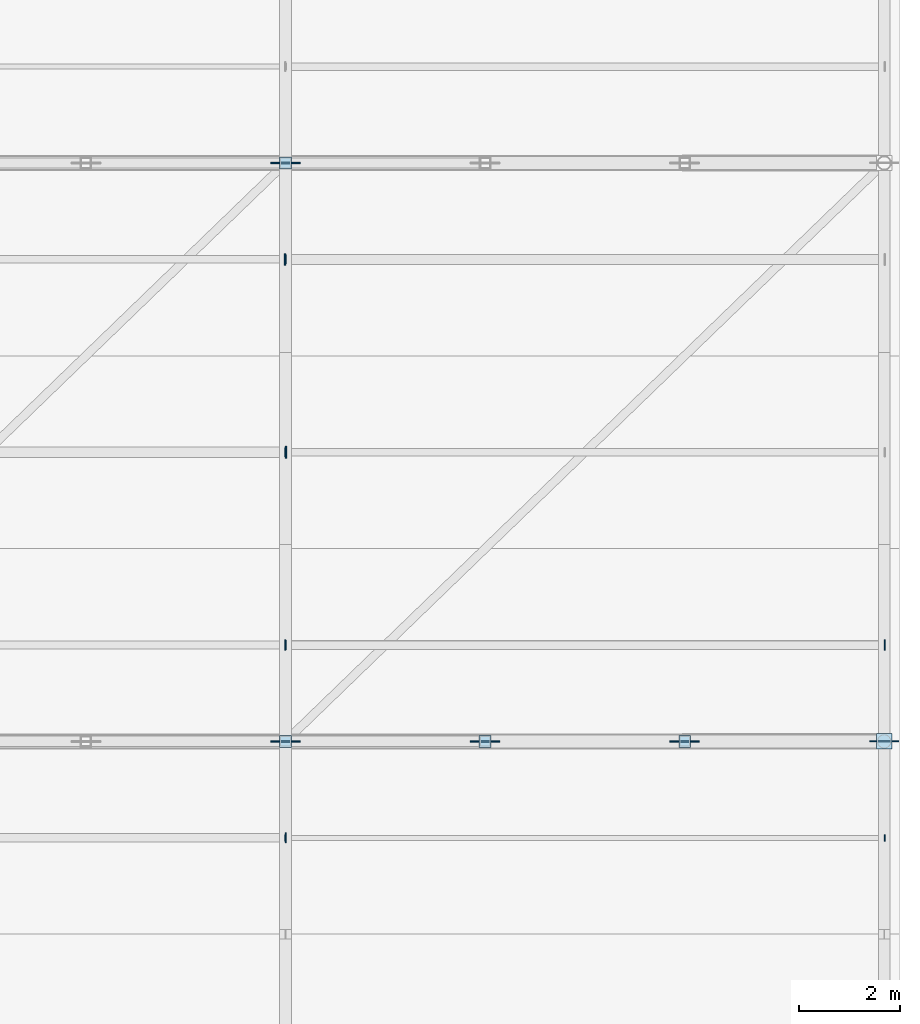
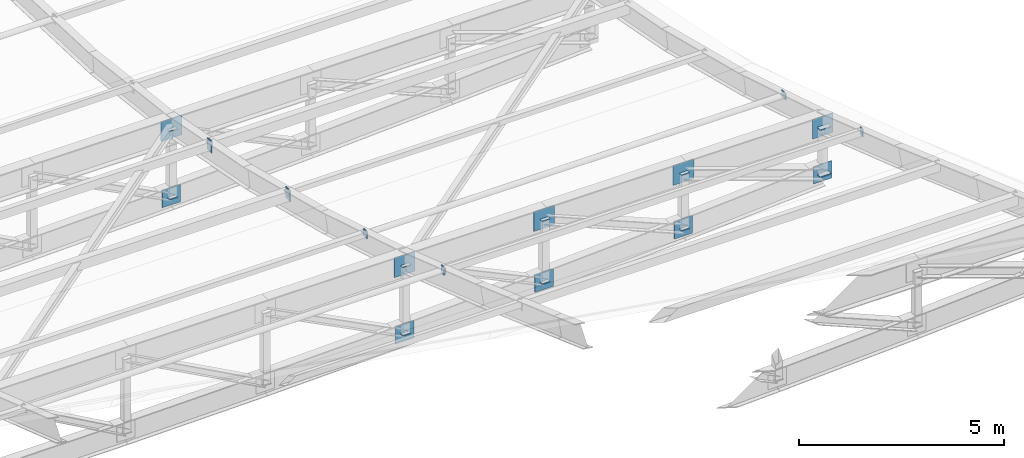
# One storey, part 49 of 65: 30 plates.
"""IFC4 building model written with IfcOpenShell, lengths in metres."""

from ifc_helpers import new_model, si_unit, direction, frame, origin, origin_2d, place, context, subcontext, project, spatial, rectangle, extrude, material, layer, layer_set, type_object, element, save


model = new_model("IFC4")

# Units and contexts
model_context = context("Model", 3, precision=1e-05, world=origin(), true_north=direction((0.0, 1.0)))
body_context = subcontext(model_context, "Body", "Model", "MODEL_VIEW")
ifc_project = project(units=[si_unit("LENGTHUNIT", "METRE"), si_unit("AREAUNIT", "SQUARE_METRE"), si_unit("VOLUMEUNIT", "CUBIC_METRE"), si_unit("PLANEANGLEUNIT", "RADIAN"), si_unit("MASSUNIT", "GRAM", prefix="KILO"), si_unit("POWERUNIT", "WATT"), si_unit("THERMODYNAMICTEMPERATUREUNIT", "KELVIN")], contexts=[model_context])

# Site, building, storey
site_placement = place(None, origin())
site = spatial("IfcSite", under=ifc_project, at=site_placement, CompositionType="ELEMENT")
building_placement = place(site_placement, origin())
building = spatial("IfcBuilding", under=site, at=building_placement, Name="Kelmbourne Parkland Aquatics Centre", CompositionType="ELEMENT")
storey_placement = place(building_placement, frame((0.0, 0.0, 27.0)))
storey = spatial("IfcBuildingStorey", under=building, at=storey_placement, Name="RF", CompositionType="ELEMENT", Elevation=27.0)

# Plates
ifc_material = material(Name="Welded plate steel AS/NZS 3678 Grade 350", Category="steel")
ifc_layer_1 = layer(ifc_material, 0.02001953125)
ifc_layer_set_1 = layer_set([ifc_layer_1], Name="Welded plate steel AS/NZS 3678 Grade 350")
plate_type_1 = type_object("IfcPlateType", Name="PL-CAP-20", PredefinedType="USERDEFINED", material=ifc_layer_set_1)
for number, where, z_axis, x_axis, name in (
    (1, (163.39990234375, 35.0, -11.603271484375), (0.0, 0.0, 1.0), (1.0, 0.0, 0.0), "Hollow end cap plate CAP-0111"),
    (2, (163.39990234375, 35.0, -9.567626953125), (0.0, 0.0, 1.0), (1.0, 0.0, 0.0), "Hollow end cap plate CAP-0112"),
    (3, (167.333251953125, 35.0, -11.43798828125), (0.0, 0.0, 1.0), (1.0, 0.0, 0.0), "Hollow end cap plate CAP-0113"),
    (4, (167.333251953125, 35.0, -9.567626953125), (0.0, 0.0, 1.0), (1.0, 0.0, 0.0), "Hollow end cap plate CAP-0114"),
    (5, (171.2666015625, 35.0, -11.225341796875), (0.0, 0.0, 1.0), (1.0, 0.0, 0.0), "Hollow end cap plate CAP-0115"),
    (6, (171.2666015625, 35.0, -9.567626953125), (0.0, 0.0, 1.0), (1.0, 0.0, 0.0), "Hollow end cap plate CAP-0116"),
    (7, (163.39990234375, 46.39990234375, -14.452392578125), (0.0, 0.0, 1.0), (1.0, 0.0, 0.0), "Hollow end cap plate CAP-0137"),
    (8, (163.39990234375, 46.39990234375, -12.4169921875), (0.0, 0.0, 1.0), (1.0, 0.0, 0.0), "Hollow end cap plate CAP-0138"),
):
    element("IfcPlate", number, at=place(storey_placement, frame(where, z_axis=z_axis, x_axis=x_axis)), inside=storey, type_object=plate_type_1, Name=name, ObjectType="END CAP PLATE", PredefinedType="USERDEFINED", context=body_context, shape_type="SweptSolid", body=[
        extrude(rectangle(XDim=0.22998046875, YDim=0.22998046875, at=origin_2d()), origin(), (0.0, 0.0, 1.0), 0.02001953125),
    ])
plate_1_placement = place(storey_placement, frame((163.408935546875, 33.10009765625, -8.67529296875), z_axis=(0.0, 0.0, 1.0), x_axis=(1.0, 0.0, 0.0)))
element("IfcPlate", 9, at=plate_1_placement, inside=storey, type_object=plate_type_1, Name="Hollow end cap plate CAP-0370", ObjectType="END CAP PLATE", PredefinedType="USERDEFINED", context=body_context, shape_type="SweptSolid", body=[
    extrude(rectangle(XDim=0.02001953125, YDim=0.1982421875, at=origin_2d()), origin(), (0.0, 0.0, 1.0), 0.1982421875),
])
for number, where, z_axis, x_axis, name in (
    (10, (163.39111328125, 33.10009765625, -8.70703125), (0.0, 0.0, 1.0), (-1.0, 0.0, 0.0), "Hollow end cap plate CAP-0371"),
    (11, (175.208984375, 33.10009765625, -8.70703125), (0.0, 0.0, 1.0), (1.0, 0.0, 0.0), "Hollow end cap plate CAP-0372"),
):
    element("IfcPlate", number, at=place(storey_placement, frame(where, z_axis=z_axis, x_axis=x_axis)), inside=storey, type_object=plate_type_1, Name=name, ObjectType="END CAP PLATE", PredefinedType="USERDEFINED", context=body_context, shape_type="SweptSolid", body=[
        extrude(rectangle(XDim=0.02001953125, YDim=0.1298828125, at=origin_2d()), origin(), (0.0, 0.0, 1.0), 0.22998046875),
    ])
plate_2_placement = place(storey_placement, frame((163.408935546875, 36.89990234375, -9.8798828125), z_axis=(0.0, 0.0, 1.0), x_axis=(1.0, 0.0, 0.0)))
element("IfcPlate", 12, at=plate_2_placement, inside=storey, type_object=plate_type_1, Name="Hollow end cap plate CAP-0378", ObjectType="END CAP PLATE", PredefinedType="USERDEFINED", context=body_context, shape_type="SweptSolid", body=[
    extrude(rectangle(XDim=0.02001953125, YDim=0.179931640625, at=origin_2d()), origin(), (0.0, 0.0, 1.0), 0.179931640625),
])
for number, where, z_axis, x_axis, name in (
    (13, (163.39111328125, 36.89990234375, -9.8984375), (0.0, 0.0, 1.0), (-1.0, 0.0, 0.0), "Hollow end cap plate CAP-0379"),
    (14, (175.208984375, 36.89990234375, -9.8984375), (0.0, 0.0, 1.0), (1.0, 0.0, 0.0), "Hollow end cap plate CAP-0380"),
):
    element("IfcPlate", number, at=place(storey_placement, frame(where, z_axis=z_axis, x_axis=x_axis)), inside=storey, type_object=plate_type_1, Name=name, ObjectType="END CAP PLATE", PredefinedType="USERDEFINED", context=body_context, shape_type="SweptSolid", body=[
        extrude(rectangle(XDim=0.02001953125, YDim=0.1982421875, at=origin_2d()), origin(), (0.0, 0.0, 1.0), 0.1982421875),
    ])
plate_3_placement = place(storey_placement, frame((163.39111328125, 40.699951171875, -10.94140625), z_axis=(0.0, 0.0, 1.0), x_axis=(-1.0, 0.0, 0.0)))
element("IfcPlate", 15, at=plate_3_placement, inside=storey, type_object=plate_type_1, Name="Hollow end cap plate CAP-0387", ObjectType="END CAP PLATE", PredefinedType="USERDEFINED", context=body_context, shape_type="SweptSolid", body=[
    extrude(rectangle(XDim=0.02001953125, YDim=0.179931640625, at=origin_2d()), origin(), (0.0, 0.0, 1.0), 0.179931640625),
])
plate_4_placement = place(storey_placement, frame((163.408935546875, 44.5, -11.8876953125), z_axis=(0.0, 0.0, 1.0), x_axis=(1.0, 0.0, 0.0)))
element("IfcPlate", 16, at=plate_4_placement, inside=storey, type_object=plate_type_1, Name="Hollow end cap plate CAP-0394", ObjectType="END CAP PLATE", PredefinedType="USERDEFINED", context=body_context, shape_type="SweptSolid", body=[
    extrude(rectangle(XDim=0.02001953125, YDim=0.179931640625, at=origin_2d()), origin(), (0.0, 0.0, 1.0), 0.280029296875),
])
ifc_layer_2 = layer(ifc_material, 0.02392578125)
ifc_layer_set_2 = layer_set([ifc_layer_2], Name="Welded plate steel AS/NZS 3678 Grade 350")
plate_type_2 = type_object("IfcPlateType", Name="PL-CAP-24", PredefinedType="USERDEFINED", material=ifc_layer_set_2)
for number, where, z_axis, x_axis, name in (
    (17, (175.199951171875, 35.0, -10.9697265625), (0.0, 0.0, 1.0), (1.0, 0.0, 0.0), "Hollow end cap plate CAP-0117"),
    (18, (175.199951171875, 35.0, -9.567626953125), (0.0, 0.0, 1.0), (1.0, 0.0, 0.0), "Hollow end cap plate CAP-0118"),
):
    element("IfcPlate", number, at=place(storey_placement, frame(where, z_axis=z_axis, x_axis=x_axis)), inside=storey, type_object=plate_type_2, Name=name, ObjectType="END CAP PLATE", PredefinedType="USERDEFINED", context=body_context, shape_type="SweptSolid", body=[
        extrude(rectangle(XDim=0.302978515625, YDim=0.302978515625, at=origin_2d()), origin(), (0.0, 0.0, 1.0), 0.02392578125),
    ])
for number, where, z_axis, x_axis, name in (
    (19, (163.410888671875, 40.699951171875, -11.09130859375), (0.0, 0.0, 1.0), (1.0, 0.0, 0.0), "Hollow end cap plate CAP-0386"),
    (20, (163.388916015625, 44.5, -11.9375), (0.0, 0.0, 1.0), (-1.0, 0.0, 0.0), "Hollow end cap plate CAP-0395"),
):
    element("IfcPlate", number, at=place(storey_placement, frame(where, z_axis=z_axis, x_axis=x_axis)), inside=storey, type_object=plate_type_2, Name=name, ObjectType="END CAP PLATE", PredefinedType="USERDEFINED", context=body_context, shape_type="SweptSolid", body=[
        extrude(rectangle(XDim=0.02392578125, YDim=0.22998046875, at=origin_2d()), origin(), (0.0, 0.0, 1.0), 0.330078125),
    ])
ifc_layer_3 = layer(ifc_material, 0.02001953125)
ifc_layer_set_3 = layer_set([ifc_layer_3], Name="Welded plate steel AS/NZS 3678 Grade 350")
plate_type_3 = type_object("IfcPlateType", Name="PL-GUS-1", PredefinedType="USERDEFINED", material=ifc_layer_set_3)
plate_5_placement = place(storey_placement, frame((175.199951171875, 35.0, -9.856689453125), z_axis=(0.0, 0.0, 1.0), x_axis=(1.0, 0.0, 0.0)))
element("IfcPlate", 21, at=plate_5_placement, inside=storey, type_object=plate_type_3, Name="Truss top node TN-1 gusset plate R03-N12", ObjectType="GUSSET PLATE", PredefinedType="USERDEFINED", context=body_context, shape_type="SweptSolid", body=[
    extrude(rectangle(XDim=0.580078125, YDim=0.02001953125, at=origin_2d()), origin(), (0.0, 0.0, 1.0), 0.580078125),
])
plate_6_placement = place(storey_placement, frame((175.199951171875, 35.0, -11.206787109375), z_axis=(0.0, 0.0, 1.0), x_axis=(1.0, 0.0, 0.0)))
element("IfcPlate", 22, at=plate_6_placement, inside=storey, type_object=plate_type_3, Name="Truss bottom node TN-1 gusset plate R03-B12", ObjectType="GUSSET PLATE", PredefinedType="USERDEFINED", context=body_context, shape_type="SweptSolid", body=[
    extrude(rectangle(XDim=0.52001953125, YDim=0.02001953125, at=origin_2d()), origin(), (0.0, 0.0, 1.0), 0.52001953125),
])
ifc_layer_4 = layer(ifc_material, 0.031982421875)
ifc_layer_set_4 = layer_set([ifc_layer_4], Name="Welded plate steel AS/NZS 3678 Grade 350")
plate_type_4 = type_object("IfcPlateType", Name="PL-GUS-3", PredefinedType="USERDEFINED", material=ifc_layer_set_4)
plate_7_placement = place(storey_placement, frame((163.39990234375, 35.0, -9.856689453125), z_axis=(0.0, 0.0, 1.0), x_axis=(1.0, 0.0, 0.0)))
element("IfcPlate", 23, at=plate_7_placement, inside=storey, type_object=plate_type_4, Name="Truss top node TN-3 gusset plate R03-N9", ObjectType="GUSSET PLATE", PredefinedType="USERDEFINED", context=body_context, shape_type="SweptSolid", body=[
    extrude(rectangle(XDim=0.580078125, YDim=0.031982421875, at=origin_2d()), origin(), (0.0, 0.0, 1.0), 0.580078125),
])
plate_8_placement = place(storey_placement, frame((163.39990234375, 35.0, -11.84423828125), z_axis=(0.0, 0.0, 1.0), x_axis=(1.0, 0.0, 0.0)))
element("IfcPlate", 24, at=plate_8_placement, inside=storey, type_object=plate_type_4, Name="Truss bottom node TN-3 gusset plate R03-B9", ObjectType="GUSSET PLATE", PredefinedType="USERDEFINED", context=body_context, shape_type="SweptSolid", body=[
    extrude(rectangle(XDim=0.52001953125, YDim=0.031982421875, at=origin_2d()), origin(), (0.0, 0.0, 1.0), 0.52001953125),
])
plate_9_placement = place(storey_placement, frame((167.333251953125, 35.0, -9.856689453125), z_axis=(0.0, 0.0, 1.0), x_axis=(1.0, 0.0, 0.0)))
element("IfcPlate", 25, at=plate_9_placement, inside=storey, type_object=plate_type_4, Name="Truss top node TN-3 gusset plate R03-N10", ObjectType="GUSSET PLATE", PredefinedType="USERDEFINED", context=body_context, shape_type="SweptSolid", body=[
    extrude(rectangle(XDim=0.580078125, YDim=0.031982421875, at=origin_2d()), origin(), (0.0, 0.0, 1.0), 0.580078125),
])
plate_10_placement = place(storey_placement, frame((167.333251953125, 35.0, -11.678955078125), z_axis=(0.0, 0.0, 1.0), x_axis=(1.0, 0.0, 0.0)))
element("IfcPlate", 26, at=plate_10_placement, inside=storey, type_object=plate_type_4, Name="Truss bottom node TN-3 gusset plate R03-B10", ObjectType="GUSSET PLATE", PredefinedType="USERDEFINED", context=body_context, shape_type="SweptSolid", body=[
    extrude(rectangle(XDim=0.52001953125, YDim=0.031982421875, at=origin_2d()), origin(), (0.0, 0.0, 1.0), 0.52001953125),
])
plate_11_placement = place(storey_placement, frame((171.2666015625, 35.0, -9.856689453125), z_axis=(0.0, 0.0, 1.0), x_axis=(1.0, 0.0, 0.0)))
element("IfcPlate", 27, at=plate_11_placement, inside=storey, type_object=plate_type_4, Name="Truss top node TN-3 gusset plate R03-N11", ObjectType="GUSSET PLATE", PredefinedType="USERDEFINED", context=body_context, shape_type="SweptSolid", body=[
    extrude(rectangle(XDim=0.580078125, YDim=0.031982421875, at=origin_2d()), origin(), (0.0, 0.0, 1.0), 0.580078125),
])
plate_12_placement = place(storey_placement, frame((171.2666015625, 35.0, -11.46630859375), z_axis=(0.0, 0.0, 1.0), x_axis=(1.0, 0.0, 0.0)))
element("IfcPlate", 28, at=plate_12_placement, inside=storey, type_object=plate_type_4, Name="Truss bottom node TN-3 gusset plate R03-B11", ObjectType="GUSSET PLATE", PredefinedType="USERDEFINED", context=body_context, shape_type="SweptSolid", body=[
    extrude(rectangle(XDim=0.52001953125, YDim=0.031982421875, at=origin_2d()), origin(), (0.0, 0.0, 1.0), 0.52001953125),
])
plate_13_placement = place(storey_placement, frame((163.39990234375, 46.39990234375, -12.7060546875), z_axis=(0.0, 0.0, 1.0), x_axis=(1.0, 0.0, 0.0)))
element("IfcPlate", 29, at=plate_13_placement, inside=storey, type_object=plate_type_4, Name="Truss top node TN-3 gusset plate R04-N9", ObjectType="GUSSET PLATE", PredefinedType="USERDEFINED", context=body_context, shape_type="SweptSolid", body=[
    extrude(rectangle(XDim=0.580078125, YDim=0.031982421875, at=origin_2d()), origin(), (0.0, 0.0, 1.0), 0.580078125),
])
plate_14_placement = place(storey_placement, frame((163.39990234375, 46.39990234375, -14.693359375), z_axis=(0.0, 0.0, 1.0), x_axis=(1.0, 0.0, 0.0)))
element("IfcPlate", 30, at=plate_14_placement, inside=storey, type_object=plate_type_4, Name="Truss bottom node TN-3 gusset plate R04-B9", ObjectType="GUSSET PLATE", PredefinedType="USERDEFINED", context=body_context, shape_type="SweptSolid", body=[
    extrude(rectangle(XDim=0.52001953125, YDim=0.031982421875, at=origin_2d()), origin(), (0.0, 0.0, 1.0), 0.52001953125),
])

save(model, "model.ifc")
